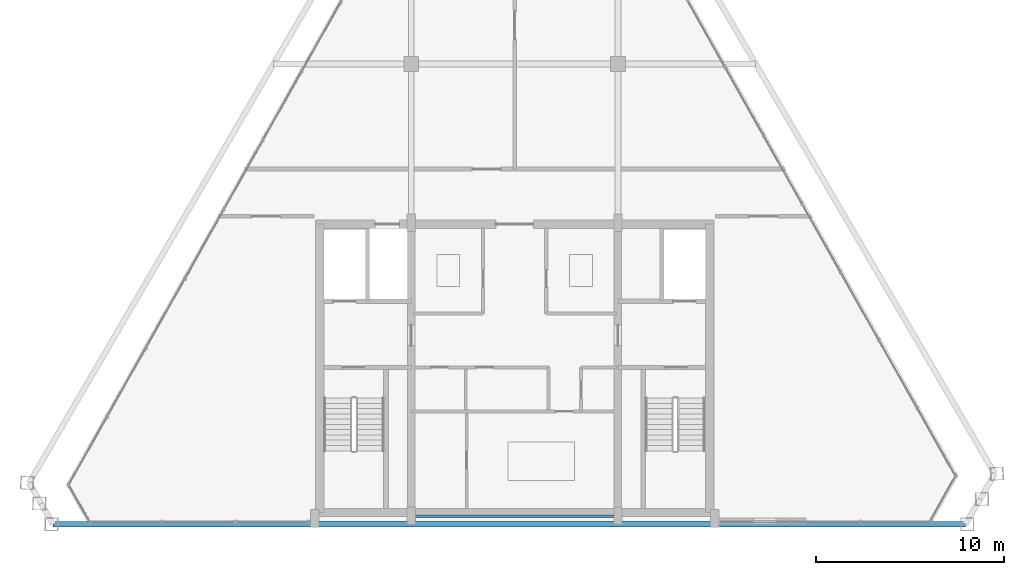
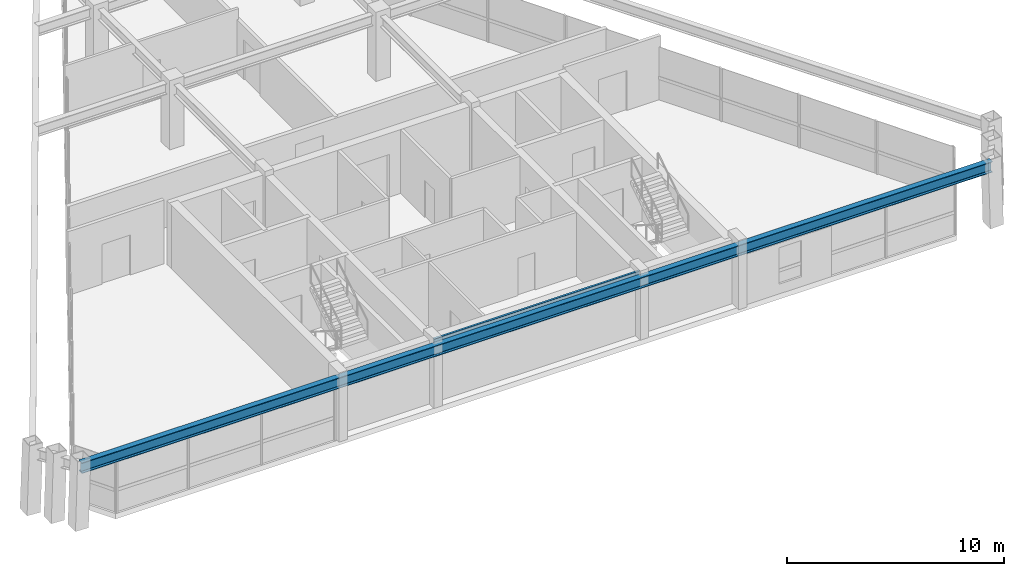
# One storey, part 3 of 12: 2 beams.
"""IFC4 building model written with IfcOpenShell, lengths in metres."""

from ifc_helpers import new_model, si_unit, direction, frame, origin, origin_2d, place, context, subcontext, project, spatial, i_section, extrude, source, transform, mapped, material, material_profile, profile_set, type_object, type_shapes, element, save


model = new_model("IFC4")

# Units and contexts
model_context = context("Model", 3, precision=1e-05, world=origin(), true_north=direction((0.0, 1.0)))
body_context = subcontext(model_context, "Body", "Model", "MODEL_VIEW")
ifc_project = project(units=[si_unit("LENGTHUNIT", "METRE"), si_unit("AREAUNIT", "SQUARE_METRE"), si_unit("VOLUMEUNIT", "CUBIC_METRE"), si_unit("PLANEANGLEUNIT", "RADIAN"), si_unit("MASSUNIT", "GRAM", prefix="KILO")], contexts=[model_context])

# Site, building, storey
site_placement = place(None, origin())
site = spatial("IfcSite", under=ifc_project, at=site_placement, CompositionType="ELEMENT")
building_placement = place(site_placement, origin())
building = spatial("IfcBuilding", under=site, at=building_placement, Name="Varnakhor Terracotta Tower", CompositionType="ELEMENT")
storey_placement = place(building_placement, frame((0.0, 0.0, 321.39990234375)))
storey = spatial("IfcBuildingStorey", under=building, at=storey_placement, Name="L84 Crown", CompositionType="ELEMENT", Elevation=321.39990234375)

# Beams
ifc_material = material(Name="Steel S355", Category="steel")
ifc_material_profile_1 = material_profile(ifc_material, i_section(OverallWidth=0.1201171875, OverallDepth=0.239990234375, WebThickness=0.006103515625, FlangeThickness=0.009765625, FilletRadius=0.01806640625, at=origin_2d()), Name="IPE240")
ifc_profile_set_1 = profile_set([ifc_material_profile_1], Name="Steel S355")
beam_type_1 = type_object("IfcBeamType", Name="LNT-IPE240", PredefinedType="LINTEL", material=ifc_profile_set_1)
shared_shape_1 = source(origin(), body_context, "Body", "SweptSolid", [
    extrude(i_section(OverallWidth=0.1201171875, OverallDepth=0.239990234375, WebThickness=0.006103515625, FlangeThickness=0.009765625, FilletRadius=0.01806640625, at=origin_2d()), origin(), (0.0, 0.0, 1.0), 11.0),
])
type_shapes(beam_type_1, [shared_shape_1])
beam_1_placement = place(storey_placement, frame((-5.5, 0.419921875, 3.47998046875), z_axis=(1.0, 0.0, 0.0), x_axis=(0.0, 1.0, 0.0)))
element("IfcBeam", 1, at=beam_1_placement, inside=storey, type_object=beam_type_1, Name="L84 Crown Core South Coupling Lintel", PredefinedType="LINTEL", context=body_context, shape_type="MappedRepresentation", body=[
    mapped(shared_shape_1, transform((0.0, 0.0, 0.0), scale=1.0)),
])
ifc_material_profile_2 = material_profile(ifc_material, i_section(OverallWidth=0.300048828125, OverallDepth=0.60009765625, WebThickness=0.015380859375, FlangeThickness=0.030029296875, FilletRadius=0.01806640625, at=origin_2d()), Name="HEB600")
ifc_profile_set_2 = profile_set([ifc_material_profile_2], Name="Steel S355")
beam_type_2 = type_object("IfcBeamType", Name="BM-HEB600", PredefinedType="BEAM", material=ifc_profile_set_2)
shared_shape_2 = source(origin(), body_context, "Body", "SweptSolid", [
    extrude(i_section(OverallWidth=0.300048828125, OverallDepth=0.60009765625, WebThickness=0.015380859375, FlangeThickness=0.030029296875, FilletRadius=0.01806640625, at=origin_2d()), origin(), (0.0, 0.0, 1.0), 48.551025390625),
])
beam_2_placement = place(storey_placement, frame((-24.560302734375, 0.0, 3.300048828125), z_axis=(1.0, 0.0, 0.0), x_axis=(0.0, 1.0, 0.0)))
element("IfcBeam", 2, at=beam_2_placement, inside=storey, type_object=beam_type_2, Name="L84 Crown Perimeter Spandrel 1", PredefinedType="BEAM", context=body_context, shape_type="MappedRepresentation", body=[
    mapped(shared_shape_2, transform((0.0, 0.0, 0.0), scale=1.0)),
])

save(model, "model.ifc")
